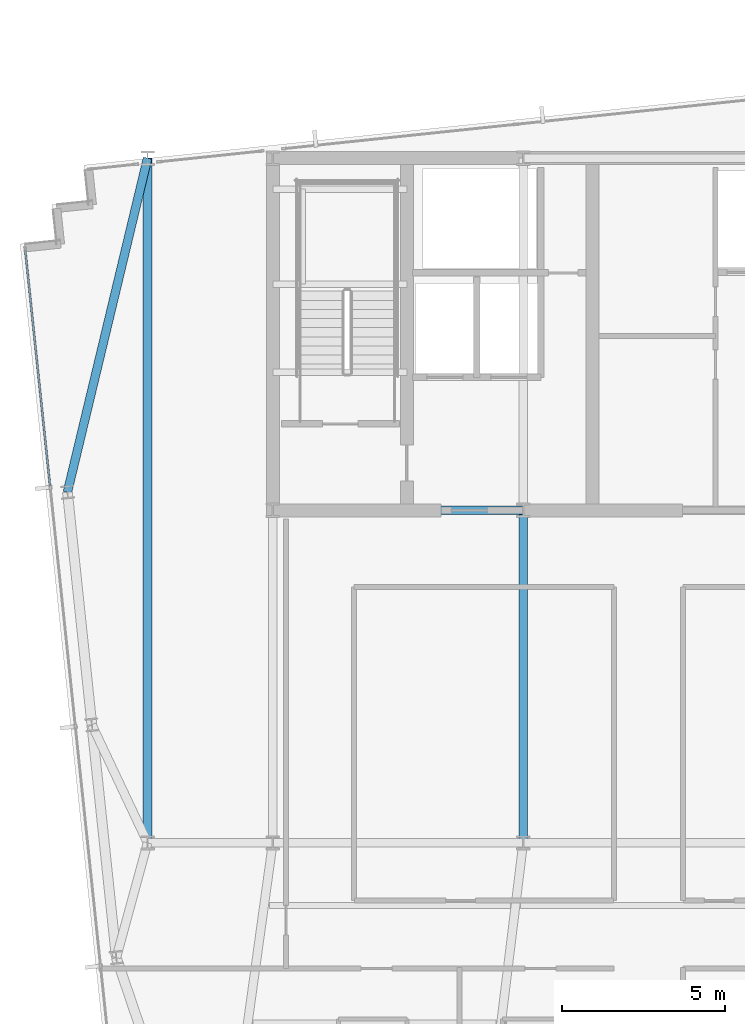
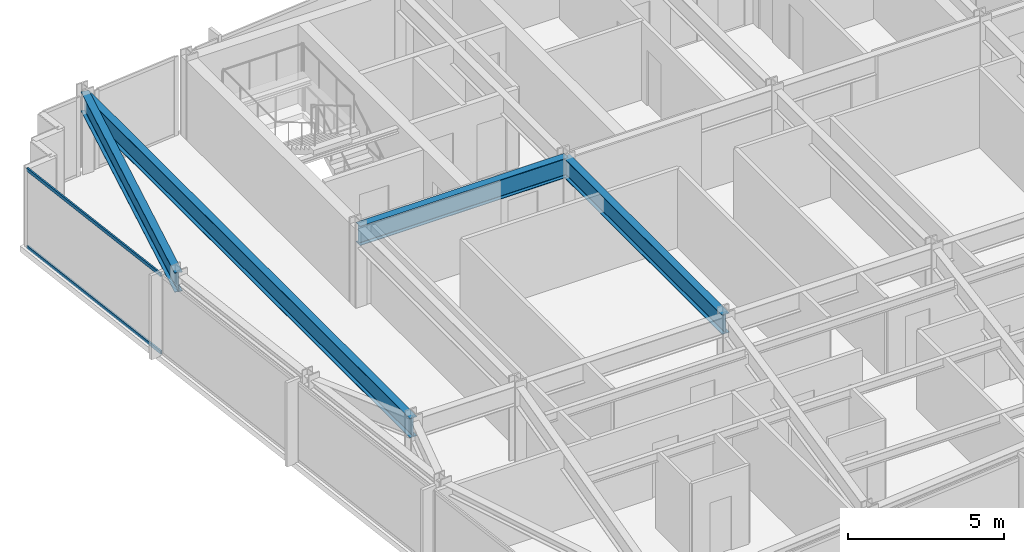
# One storey, part 11 of 33: 4 beams, 2 members, 1 element without a shape of its own.
"""IFC4 building model written with IfcOpenShell, lengths in metres."""

import ifcopenshell
import ifcopenshell.guid

model = None  # the IFC model being written
_history = None  # IfcOwnerHistory: only IFC2X3 demands one
_inside = {}  # id of a spatial element -> (the spatial element, [elements in it])
_under = {}  # id of a project, library or spatial element -> (it, [spatial elements below it])
_declared = {}  # id of a project -> (the project, [libraries it declares])
_typed = {}  # id of a type object -> (the type object, [elements of that type])
_made_of = {}  # id of a material, layer set ... -> (it, [elements and type objects made of it])


def new_model(schema):
    """Start an empty IFC model of exactly this schema.

    Asked for "IFC4X3", IfcOpenShell would pick the latest addendum, in which some entities
    have other attributes; the version numbers below select the first issue.
    IFC2X3 requires an IfcOwnerHistory on every rooted entity: one is made here for all.
    """
    global model, _history
    if schema == "IFC4X3":
        model = ifcopenshell.file(schema_version=(4, 3, 0, 0))
    else:
        model = ifcopenshell.file(schema=schema)
    _inside.clear()
    _under.clear()
    _declared.clear()
    _typed.clear()
    _made_of.clear()
    _history = None
    if model.schema == "IFC2X3":
        org = make("IfcOrganization", Name="unknown")
        user = make(
            "IfcPersonAndOrganization",
            ThePerson=make("IfcPerson", FamilyName="unknown"),
            TheOrganization=org,
        )
        app = make(
            "IfcApplication",
            ApplicationDeveloper=org,
            Version="unknown",
            ApplicationFullName="unknown",
            ApplicationIdentifier="unknown",
        )
        _history = make(
            "IfcOwnerHistory",
            OwningUser=user,
            OwningApplication=app,
            ChangeAction="ADDED",
            CreationDate=0,
        )
    return model


def make(cls, **values):
    """One entity of the class cls with the attributes given. An attribute that is None is left unset."""
    return model.create_entity(
        cls, **{name: value for name, value in values.items() if value is not None}
    )


def rooted(cls, **values):
    """An entity with a GlobalId (a new one), such as an element, a storey or a relation."""
    return make(cls, GlobalId=ifcopenshell.guid.new(), OwnerHistory=_history, **values)


def si_unit(unit_type, name, prefix=None):
    """IfcSIUnit, for example si_unit("LENGTHUNIT", "METRE", prefix="MILLI")."""
    return make("IfcSIUnit", UnitType=unit_type, Prefix=prefix, Name=name)


def assignment(units):
    """IfcUnitAssignment: the units of a project."""
    return None if units is None else make("IfcUnitAssignment", Units=units)


def point(xyz):
    """IfcCartesianPoint."""
    return None if xyz is None else make("IfcCartesianPoint", Coordinates=xyz)


def direction(xyz):
    """IfcDirection."""
    return None if xyz is None else make("IfcDirection", DirectionRatios=xyz)


def frame(location, z_axis=None, x_axis=None):
    """IfcAxis2Placement3D, a coordinate frame: its origin and axes. An axis left out is left unset."""
    return make(
        "IfcAxis2Placement3D",
        Location=point(location),
        Axis=direction(z_axis),
        RefDirection=direction(x_axis),
    )


def frame_2d(location, x_axis=None):
    """IfcAxis2Placement2D, a coordinate frame in the plane: its origin and x axis."""
    return make(
        "IfcAxis2Placement2D", Location=point(location), RefDirection=direction(x_axis)
    )


def origin():
    """The frame at (0, 0, 0) with its axes left unset."""
    return frame((0.0, 0.0, 0.0))


def origin_2d():
    """The frame at (0, 0) in the plane with its x axis left unset."""
    return frame_2d((0.0, 0.0))


def place(relative_to, where):
    """IfcLocalPlacement: puts the frame where relative to a parent placement (None: the world)."""
    return make(
        "IfcLocalPlacement", PlacementRelTo=relative_to, RelativePlacement=where
    )


def context(
    kind, dimensions, precision=None, world=None, true_north=None, identifier=None
):
    """IfcGeometricRepresentationContext, for example the 3D "Model" context."""
    return make(
        "IfcGeometricRepresentationContext",
        ContextIdentifier=identifier,
        ContextType=kind,
        CoordinateSpaceDimension=dimensions,
        Precision=precision,
        WorldCoordinateSystem=world,
        TrueNorth=true_north,
    )


def subcontext(parent, identifier, kind, view, scale=None):
    """IfcGeometricRepresentationSubContext, for example "Body" below "Model"."""
    return make(
        "IfcGeometricRepresentationSubContext",
        ContextIdentifier=identifier,
        ContextType=kind,
        ParentContext=parent,
        TargetScale=scale,
        TargetView=view,
    )


def project(units=None, contexts=None):
    """IfcProject with its units and contexts."""
    return rooted(
        "IfcProject",
        Name="project",
        RepresentationContexts=contexts,
        UnitsInContext=assignment(units),
    )


def spatial(cls, under=None, at=None, **own):
    """A site, building, storey or space (cls), placed at a placement, below another one or the project."""
    s = rooted(cls, ObjectPlacement=at, **own)
    if under is not None:
        _under.setdefault(under.id(), (under, []))[1].append(s)
    return s


def profile(cls, at=None, kind="AREA", **sizes):
    """A parametric profile (cls). Its sizes go by their IFC names, for example OverallWidth=200.0."""
    return make(cls, ProfileType=kind, Position=at, **sizes)


def hollow_rectangle(**sizes):
    """IfcRectangleHollowProfileDef."""
    return profile("IfcRectangleHollowProfileDef", **sizes)


def i_section(**sizes):
    """IfcIShapeProfileDef."""
    return profile("IfcIShapeProfileDef", **sizes)


def extrude(swept, where, along, depth):
    """IfcExtrudedAreaSolid: the profile swept, set in the frame where, extruded along a direction by depth."""
    return make(
        "IfcExtrudedAreaSolid",
        SweptArea=swept,
        Position=where,
        ExtrudedDirection=direction(along),
        Depth=depth,
    )


def shape(context_of_items, identifier, shape_type, items):
    """IfcShapeRepresentation: the items that make up one representation, for example the "Body"."""
    return make(
        "IfcShapeRepresentation",
        ContextOfItems=context_of_items,
        RepresentationIdentifier=identifier,
        RepresentationType=shape_type,
        Items=items,
    )


def material(Name=None, Category=None):
    """IfcMaterial."""
    return make("IfcMaterial", Name=Name, Category=Category)


def material_profile(
    of_material, cross_section, Name=None, Category=None, Priority=None
):
    """IfcMaterialProfile: a cross section and its material."""
    return make(
        "IfcMaterialProfile",
        Name=Name,
        Material=of_material,
        Profile=cross_section,
        Priority=Priority,
        Category=Category,
    )


def profile_set(profiles, Name=None, composite=None):
    """IfcMaterialProfileSet."""
    return make(
        "IfcMaterialProfileSet",
        Name=Name,
        MaterialProfiles=profiles,
        CompositeProfile=composite,
    )


def made_of(thing, what):
    """Note that an element or type object is made of a material, layer set ...; save() writes the relation."""
    if what is not None:
        _made_of.setdefault(what.id(), (what, []))[1].append(thing)
    return thing


def type_object(cls, material=None, **own):
    """A type object (cls), such as IfcWallType, which elements share."""
    return made_of(rooted(cls, **own), material)


def element(
    cls,
    number,
    at=None,
    inside=None,
    cuts=None,
    type_object=None,
    material=None,
    context=None,
    identifier="Body",
    shape_type=None,
    held_by="IfcProductDefinitionShape",
    body=None,
    shapes=None,
    **own,
):
    """One element of the class cls, such as IfcWall. Its Tag is "e" and its number.

    at: its placement. inside: the storey or other place that contains it. cuts: it is an
    opening in that element (IfcRelVoidsElement). A single representation is given by context,
    identifier, shape_type and body (its items); several are given by shapes. held_by: the class
    of the entity that holds the representations. save() writes the other relations.
    """
    e = rooted(cls, Tag="e%d" % number, ObjectPlacement=at, **own)
    if body is not None:
        shapes = [shape(context, identifier, shape_type, body)]
    if shapes is not None:
        e.Representation = make(held_by, Representations=shapes)
    if inside is not None:
        _inside.setdefault(inside.id(), (inside, []))[1].append(e)
    if cuts is not None:
        rooted(
            "IfcRelVoidsElement", RelatingBuildingElement=cuts, RelatedOpeningElement=e
        )
    if type_object is not None:
        _typed.setdefault(type_object.id(), (type_object, []))[1].append(e)
    return made_of(e, material)


def aggregate(whole, parts):
    """IfcRelAggregates: a whole, such as a stair, and the parts it consists of."""
    return rooted("IfcRelAggregates", RelatingObject=whole, RelatedObjects=parts)


def save(model, path):
    """Write the relations noted so far, then the file.

    IfcRelAggregates (storeys below a building ...), IfcRelContainedInSpatialStructure (elements
    in a storey), IfcRelDefinesByType, IfcRelAssociatesMaterial and IfcRelDeclares: one each for
    every whole, place, type object, material and project.
    """
    for whole, parts in _under.values():
        aggregate(whole, parts)
    for where, things in _inside.values():
        rooted(
            "IfcRelContainedInSpatialStructure",
            RelatedElements=things,
            RelatingStructure=where,
        )
    for kind, things in _typed.values():
        rooted("IfcRelDefinesByType", RelatedObjects=things, RelatingType=kind)
    for what, things in _made_of.values():
        rooted("IfcRelAssociatesMaterial", RelatedObjects=things, RelatingMaterial=what)
    for by, libraries in _declared.values():
        rooted("IfcRelDeclares", RelatingContext=by, RelatedDefinitions=libraries)
    model.write(path)


model = new_model("IFC4")

# Units and contexts
model_context = context("Model", 3, precision=1e-05, world=origin(), true_north=direction((0.0, 1.0)))
body_context = subcontext(model_context, "Body", "Model", "MODEL_VIEW")
ifc_project = project(units=[si_unit("LENGTHUNIT", "METRE"), si_unit("AREAUNIT", "SQUARE_METRE"), si_unit("VOLUMEUNIT", "CUBIC_METRE"), si_unit("PLANEANGLEUNIT", "RADIAN"), si_unit("MASSUNIT", "GRAM", prefix="KILO")], contexts=[model_context])

# Site, building, storey
site_placement = place(None, origin())
site = spatial("IfcSite", under=ifc_project, at=site_placement, CompositionType="ELEMENT")
building_placement = place(site_placement, origin())
building = spatial("IfcBuilding", under=site, at=building_placement, Name="Yelkora Congress Tower", CompositionType="ELEMENT")
storey_placement = place(building_placement, frame((0.0, 0.0, 230.89990234375)))
storey = spatial("IfcBuildingStorey", under=building, at=storey_placement, Name="L64", CompositionType="ELEMENT", Elevation=230.89990234375)

# Beams
ifc_material_1 = material(Name="Steel S355J2", Category="steel")
ifc_material_profile_1 = material_profile(ifc_material_1, i_section(OverallWidth=0.26708984375, OverallDepth=0.761962890625, WebThickness=0.014404296875, FlangeThickness=0.021484375, FilletRadius=0.01708984375, at=origin_2d()), Name="IPE 750x173")
ifc_profile_set_1 = profile_set([ifc_material_profile_1], Name="Steel S355J2")
beam_type = type_object("IfcBeamType", Name="BM-GIRD-IPE750", PredefinedType="BEAM", material=ifc_profile_set_1)
beam_1_placement = place(storey_placement, frame((23.0400390625, 35.39990234375, 2.69921875), z_axis=(1.0, 0.0, 0.0), x_axis=(0.0, 1.0, 0.0)))
element("IfcBeam", 1, at=beam_1_placement, inside=storey, type_object=beam_type, Name="L64 Core South Girder 1", PredefinedType="BEAM", context=body_context, shape_type="SweptSolid", body=[
    extrude(i_section(OverallWidth=0.26708984375, OverallDepth=0.761962890625, WebThickness=0.014404296875, FlangeThickness=0.021484375, FilletRadius=0.01708984375, at=origin_2d()), origin(), (0.0, 0.0, 1.0), 7.679931640625),
])
beam_2_placement = place(storey_placement, frame((30.719970703125, 25.199951171875, 2.69921875), z_axis=(0.0, 1.0, 0.0), x_axis=(-1.0, 0.0, 0.0)))
element("IfcBeam", 2, at=beam_2_placement, inside=storey, type_object=beam_type, Name="L64 Core Tie Girder MC-D2", PredefinedType="BEAM", context=body_context, shape_type="SweptSolid", body=[
    extrude(i_section(OverallWidth=0.26708984375, OverallDepth=0.761962890625, WebThickness=0.014404296875, FlangeThickness=0.021484375, FilletRadius=0.01708984375, at=origin_2d()), origin(), (0.0, 0.0, 1.0), 10.199951171875),
])
beam_3_placement = place(storey_placement, frame((19.199951171875, 25.199951171875, 2.69921875), z_axis=(0.0, 1.0, 0.0), x_axis=(-1.0, 0.0, 0.0)))
element("IfcBeam", 3, at=beam_3_placement, inside=storey, type_object=beam_type, Name="L64 Neck Flank Girder MC-F1", PredefinedType="BEAM", context=body_context, shape_type="SweptSolid", body=[
    extrude(i_section(OverallWidth=0.26708984375, OverallDepth=0.761962890625, WebThickness=0.014404296875, FlangeThickness=0.021484375, FilletRadius=0.01708984375, at=origin_2d()), origin(), (0.0, 0.0, 1.0), 21.0),
])
beam_4_placement = place(storey_placement, frame((16.7412109375, 35.95458984375, 2.69921875), z_axis=(0.233359806768, 0.972390456856, 0.0), x_axis=(-0.972390456856, 0.233359806768, 0.0)))
element("IfcBeam", 4, at=beam_4_placement, inside=storey, type_object=beam_type, Name="L64 Primary Frame Girder W03", PredefinedType="BEAM", context=body_context, shape_type="SweptSolid", body=[
    extrude(i_section(OverallWidth=0.26708984375, OverallDepth=0.761962890625, WebThickness=0.014404296875, FlangeThickness=0.021484375, FilletRadius=0.01708984375, at=origin_2d()), origin(), (0.0, 0.0, 1.0), 10.536376953125),
])

# Curtain wall, members
ifc_material_2 = material(Name="Anodised aluminium and insulated glass", Category="aluminium")
curtain_wall_type = type_object("IfcCurtainWallType", Name="CW-SYS-B4", PredefinedType="NOTDEFINED", material=ifc_material_2)
curtain_wall_placement = place(storey_placement, origin())
curtain_wall = element("IfcCurtainWall", 5, at=curtain_wall_placement, inside=storey, type_object=curtain_wall_type, Name="L64 Unitised Curtain Wall 5", PredefinedType="NOTDEFINED")
ifc_material_3 = material(Name="Anodised aluminium 6063-T6", Category="aluminium")
ifc_material_profile_2 = material_profile(ifc_material_3, hollow_rectangle(XDim=0.06005859375, YDim=0.1298828125, WallThickness=0.00390625, at=origin_2d()), Name="ALU 60x130x4")
ifc_profile_set_2 = profile_set([ifc_material_profile_2], Name="Anodised aluminium 6063-T6")
member_type = type_object("IfcMemberType", Name="MEM-TR-B4", PredefinedType="USERDEFINED", material=ifc_profile_set_2)
member_1_placement = place(storey_placement, frame((16.208984375, 36.137451171875, 0.030029296875), z_axis=(-0.104494567873, 0.994525457334, 0.0), x_axis=(-0.994525457334, -0.104494567873, 0.0)))
member_1 = element("IfcMember", 6, at=member_1_placement, type_object=member_type, Name="CW-B4 transom 4.1", ObjectType="TRANSOM", PredefinedType="USERDEFINED", context=body_context, shape_type="SweptSolid", body=[
    extrude(hollow_rectangle(XDim=0.06005859375, YDim=0.1298828125, WallThickness=0.00390625, at=origin_2d()), origin(), (0.0, 0.0, 1.0), 7.282470703125),
])
member_2_placement = place(storey_placement, frame((16.208984375, 36.137451171875, 3.050048828125), z_axis=(-0.104494567873, 0.994525457334, 0.0), x_axis=(-0.994525457334, -0.104494567873, 0.0)))
member_2 = element("IfcMember", 7, at=member_2_placement, type_object=member_type, Name="CW-B4 transom 4.2", ObjectType="TRANSOM", PredefinedType="USERDEFINED", context=body_context, shape_type="SweptSolid", body=[
    extrude(hollow_rectangle(XDim=0.06005859375, YDim=0.1298828125, WallThickness=0.00390625, at=origin_2d()), origin(), (0.0, 0.0, 1.0), 7.282470703125),
])
aggregate(curtain_wall, [member_1, member_2])

save(model, "model.ifc")
